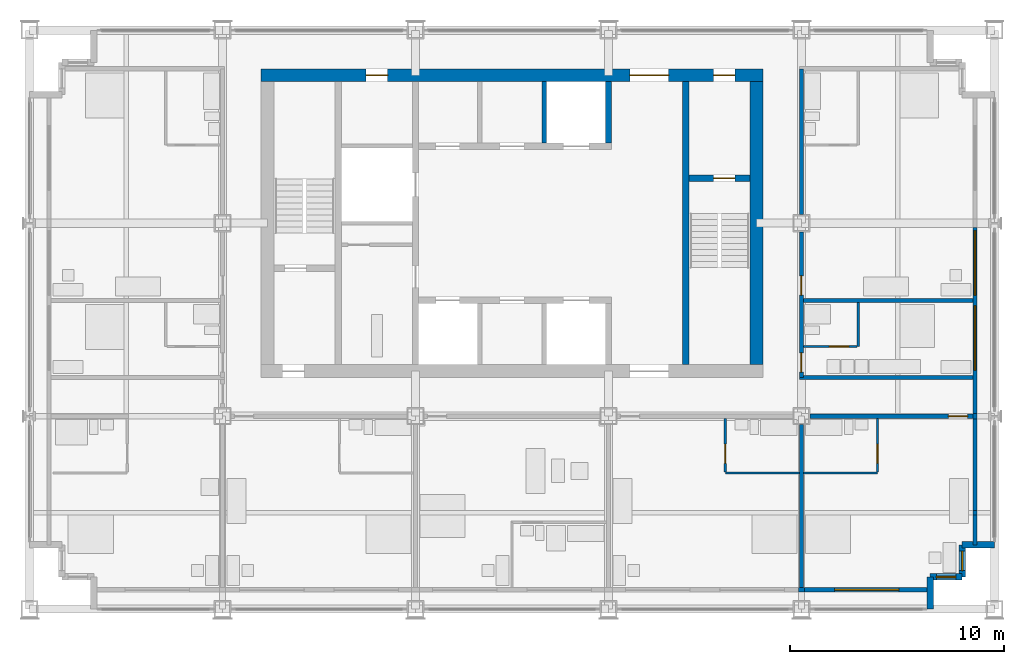
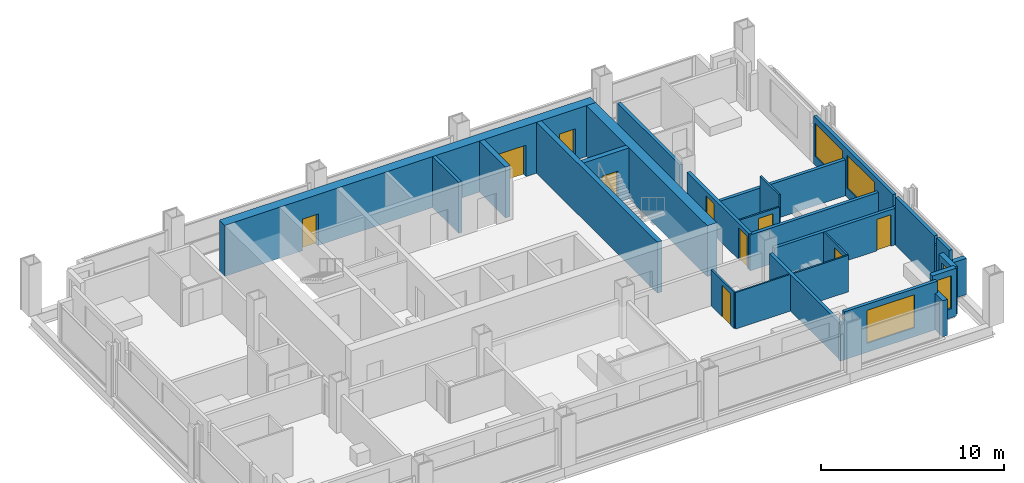
# One storey, part 9 of 13: 29 walls, 10 doors, 5 windows, 15 openings.
"""IFC4 building model written with IfcOpenShell, lengths in metres."""

import ifcopenshell
import ifcopenshell.guid

model = None  # the IFC model being written
_history = None  # IfcOwnerHistory: only IFC2X3 demands one
_inside = {}  # id of a spatial element -> (the spatial element, [elements in it])
_under = {}  # id of a project, library or spatial element -> (it, [spatial elements below it])
_declared = {}  # id of a project -> (the project, [libraries it declares])
_typed = {}  # id of a type object -> (the type object, [elements of that type])
_made_of = {}  # id of a material, layer set ... -> (it, [elements and type objects made of it])


def new_model(schema):
    """Start an empty IFC model of exactly this schema.

    Asked for "IFC4X3", IfcOpenShell would pick the latest addendum, in which some entities
    have other attributes; the version numbers below select the first issue.
    IFC2X3 requires an IfcOwnerHistory on every rooted entity: one is made here for all.
    """
    global model, _history
    if schema == "IFC4X3":
        model = ifcopenshell.file(schema_version=(4, 3, 0, 0))
    else:
        model = ifcopenshell.file(schema=schema)
    _inside.clear()
    _under.clear()
    _declared.clear()
    _typed.clear()
    _made_of.clear()
    _history = None
    if model.schema == "IFC2X3":
        org = make("IfcOrganization", Name="unknown")
        user = make(
            "IfcPersonAndOrganization",
            ThePerson=make("IfcPerson", FamilyName="unknown"),
            TheOrganization=org,
        )
        app = make(
            "IfcApplication",
            ApplicationDeveloper=org,
            Version="unknown",
            ApplicationFullName="unknown",
            ApplicationIdentifier="unknown",
        )
        _history = make(
            "IfcOwnerHistory",
            OwningUser=user,
            OwningApplication=app,
            ChangeAction="ADDED",
            CreationDate=0,
        )
    return model


def make(cls, **values):
    """One entity of the class cls with the attributes given. An attribute that is None is left unset."""
    return model.create_entity(
        cls, **{name: value for name, value in values.items() if value is not None}
    )


def rooted(cls, **values):
    """An entity with a GlobalId (a new one), such as an element, a storey or a relation."""
    return make(cls, GlobalId=ifcopenshell.guid.new(), OwnerHistory=_history, **values)


def si_unit(unit_type, name, prefix=None):
    """IfcSIUnit, for example si_unit("LENGTHUNIT", "METRE", prefix="MILLI")."""
    return make("IfcSIUnit", UnitType=unit_type, Prefix=prefix, Name=name)


def assignment(units):
    """IfcUnitAssignment: the units of a project."""
    return None if units is None else make("IfcUnitAssignment", Units=units)


def point(xyz):
    """IfcCartesianPoint."""
    return None if xyz is None else make("IfcCartesianPoint", Coordinates=xyz)


def direction(xyz):
    """IfcDirection."""
    return None if xyz is None else make("IfcDirection", DirectionRatios=xyz)


def frame(location, z_axis=None, x_axis=None):
    """IfcAxis2Placement3D, a coordinate frame: its origin and axes. An axis left out is left unset."""
    return make(
        "IfcAxis2Placement3D",
        Location=point(location),
        Axis=direction(z_axis),
        RefDirection=direction(x_axis),
    )


def frame_2d(location, x_axis=None):
    """IfcAxis2Placement2D, a coordinate frame in the plane: its origin and x axis."""
    return make(
        "IfcAxis2Placement2D", Location=point(location), RefDirection=direction(x_axis)
    )


def origin():
    """The frame at (0, 0, 0) with its axes left unset."""
    return frame((0.0, 0.0, 0.0))


def place(relative_to, where):
    """IfcLocalPlacement: puts the frame where relative to a parent placement (None: the world)."""
    return make(
        "IfcLocalPlacement", PlacementRelTo=relative_to, RelativePlacement=where
    )


def context(
    kind, dimensions, precision=None, world=None, true_north=None, identifier=None
):
    """IfcGeometricRepresentationContext, for example the 3D "Model" context."""
    return make(
        "IfcGeometricRepresentationContext",
        ContextIdentifier=identifier,
        ContextType=kind,
        CoordinateSpaceDimension=dimensions,
        Precision=precision,
        WorldCoordinateSystem=world,
        TrueNorth=true_north,
    )


def subcontext(parent, identifier, kind, view, scale=None):
    """IfcGeometricRepresentationSubContext, for example "Body" below "Model"."""
    return make(
        "IfcGeometricRepresentationSubContext",
        ContextIdentifier=identifier,
        ContextType=kind,
        ParentContext=parent,
        TargetScale=scale,
        TargetView=view,
    )


def project(units=None, contexts=None):
    """IfcProject with its units and contexts."""
    return rooted(
        "IfcProject",
        Name="project",
        RepresentationContexts=contexts,
        UnitsInContext=assignment(units),
    )


def spatial(cls, under=None, at=None, **own):
    """A site, building, storey or space (cls), placed at a placement, below another one or the project."""
    s = rooted(cls, ObjectPlacement=at, **own)
    if under is not None:
        _under.setdefault(under.id(), (under, []))[1].append(s)
    return s


def profile(cls, at=None, kind="AREA", **sizes):
    """A parametric profile (cls). Its sizes go by their IFC names, for example OverallWidth=200.0."""
    return make(cls, ProfileType=kind, Position=at, **sizes)


def rectangle(**sizes):
    """IfcRectangleProfileDef."""
    return profile("IfcRectangleProfileDef", **sizes)


def extrude(swept, where, along, depth):
    """IfcExtrudedAreaSolid: the profile swept, set in the frame where, extruded along a direction by depth."""
    return make(
        "IfcExtrudedAreaSolid",
        SweptArea=swept,
        Position=where,
        ExtrudedDirection=direction(along),
        Depth=depth,
    )


def shape(context_of_items, identifier, shape_type, items):
    """IfcShapeRepresentation: the items that make up one representation, for example the "Body"."""
    return make(
        "IfcShapeRepresentation",
        ContextOfItems=context_of_items,
        RepresentationIdentifier=identifier,
        RepresentationType=shape_type,
        Items=items,
    )


def material(Name=None, Category=None):
    """IfcMaterial."""
    return make("IfcMaterial", Name=Name, Category=Category)


def layer(
    of_material, thickness, ventilated=None, Name=None, Category=None, Priority=None
):
    """IfcMaterialLayer: one layer of a wall or slab, of a material (None: an air gap)."""
    return make(
        "IfcMaterialLayer",
        Material=of_material,
        LayerThickness=thickness,
        IsVentilated=ventilated,
        Name=Name,
        Category=Category,
        Priority=Priority,
    )


def layer_set(layers, Name=None):
    """IfcMaterialLayerSet."""
    return make("IfcMaterialLayerSet", MaterialLayers=layers, LayerSetName=Name)


def made_of(thing, what):
    """Note that an element or type object is made of a material, layer set ...; save() writes the relation."""
    if what is not None:
        _made_of.setdefault(what.id(), (what, []))[1].append(thing)
    return thing


def type_object(cls, material=None, **own):
    """A type object (cls), such as IfcWallType, which elements share."""
    return made_of(rooted(cls, **own), material)


def element(
    cls,
    number,
    at=None,
    inside=None,
    cuts=None,
    type_object=None,
    material=None,
    context=None,
    identifier="Body",
    shape_type=None,
    held_by="IfcProductDefinitionShape",
    body=None,
    shapes=None,
    **own,
):
    """One element of the class cls, such as IfcWall. Its Tag is "e" and its number.

    at: its placement. inside: the storey or other place that contains it. cuts: it is an
    opening in that element (IfcRelVoidsElement). A single representation is given by context,
    identifier, shape_type and body (its items); several are given by shapes. held_by: the class
    of the entity that holds the representations. save() writes the other relations.
    """
    e = rooted(cls, Tag="e%d" % number, ObjectPlacement=at, **own)
    if body is not None:
        shapes = [shape(context, identifier, shape_type, body)]
    if shapes is not None:
        e.Representation = make(held_by, Representations=shapes)
    if inside is not None:
        _inside.setdefault(inside.id(), (inside, []))[1].append(e)
    if cuts is not None:
        rooted(
            "IfcRelVoidsElement", RelatingBuildingElement=cuts, RelatedOpeningElement=e
        )
    if type_object is not None:
        _typed.setdefault(type_object.id(), (type_object, []))[1].append(e)
    return made_of(e, material)


def fill(opening, filler):
    """IfcRelFillsElement: the door or window that sits in an opening."""
    return rooted(
        "IfcRelFillsElement",
        RelatingOpeningElement=opening,
        RelatedBuildingElement=filler,
    )


def aggregate(whole, parts):
    """IfcRelAggregates: a whole, such as a stair, and the parts it consists of."""
    return rooted("IfcRelAggregates", RelatingObject=whole, RelatedObjects=parts)


def save(model, path):
    """Write the relations noted so far, then the file.

    IfcRelAggregates (storeys below a building ...), IfcRelContainedInSpatialStructure (elements
    in a storey), IfcRelDefinesByType, IfcRelAssociatesMaterial and IfcRelDeclares: one each for
    every whole, place, type object, material and project.
    """
    for whole, parts in _under.values():
        aggregate(whole, parts)
    for where, things in _inside.values():
        rooted(
            "IfcRelContainedInSpatialStructure",
            RelatedElements=things,
            RelatingStructure=where,
        )
    for kind, things in _typed.values():
        rooted("IfcRelDefinesByType", RelatedObjects=things, RelatingType=kind)
    for what, things in _made_of.values():
        rooted("IfcRelAssociatesMaterial", RelatedObjects=things, RelatingMaterial=what)
    for by, libraries in _declared.values():
        rooted("IfcRelDeclares", RelatingContext=by, RelatedDefinitions=libraries)
    model.write(path)


model = new_model("IFC4")

# Units and contexts
model_context = context("Model", 3, precision=1e-05, world=origin(), true_north=direction((0.0, 1.0)))
body_context = subcontext(model_context, "Body", "Model", "MODEL_VIEW")
ifc_project = project(units=[si_unit("LENGTHUNIT", "METRE"), si_unit("AREAUNIT", "SQUARE_METRE"), si_unit("VOLUMEUNIT", "CUBIC_METRE"), si_unit("PLANEANGLEUNIT", "RADIAN"), si_unit("MASSUNIT", "GRAM", prefix="KILO")], contexts=[model_context])

# Site, building, storey
site_placement = place(None, origin())
site = spatial("IfcSite", under=ifc_project, at=site_placement, CompositionType="ELEMENT")
building_placement = place(site_placement, origin())
building = spatial("IfcBuilding", under=site, at=building_placement, Name="Loomwork Tower", CompositionType="ELEMENT")
storey_placement = place(building_placement, frame((0.0, 0.0, 177.39990234375)))
storey = spatial("IfcBuildingStorey", under=building, at=storey_placement, Name="L48", CompositionType="ELEMENT", Elevation=177.39990234375)

# Walls
ifc_material_1 = material(Name="Concrete 14000 psi (97 MPa)", Category="concrete")
ifc_layer_1 = layer(ifc_material_1, 0.300048828125)
ifc_layer_set_1 = layer_set([ifc_layer_1], Name="Core shear wall 300")
wall_type_1 = type_object("IfcWallType", Name="Core shear wall 300", PredefinedType="SHEAR", material=ifc_layer_set_1)
wall_1_placement = place(storey_placement, frame((27.0, 21.75, 0.0), z_axis=(0.0, 0.0, 1.0), x_axis=(0.0, 1.0, 0.0)))
element("IfcWall", 1, at=wall_1_placement, inside=storey, type_object=wall_type_1, Name="Lift shaft end wall north L48", PredefinedType="SHEAR", context=body_context, shape_type="SweptSolid", body=[
    extrude(rectangle(XDim=2.85009765625, YDim=0.300048828125, at=frame_2d((1.425048828125, 0.0))), origin(), (0.0, 0.0, 1.0), 3.400146484375),
])
wall_2_placement = place(storey_placement, frame((30.60009765625, 11.39990234375, 0.0), z_axis=(0.0, 0.0, 1.0), x_axis=(0.0, 1.0, 0.0)))
element("IfcWall", 2, at=wall_2_placement, inside=storey, type_object=wall_type_1, Name="Stair B west wall L48", PredefinedType="SHEAR", context=body_context, shape_type="SweptSolid", body=[
    extrude(rectangle(XDim=13.2001953125, YDim=0.300048828125, at=frame_2d((6.60009765625, 0.0))), origin(), (0.0, 0.0, 1.0), 3.400146484375),
])

# Wall, opening, door
wall_3_placement = place(storey_placement, frame((30.75, 20.10009765625, 0.0), z_axis=(0.0, 0.0, 1.0), x_axis=(1.0, 0.0, 0.0)))
wall_3 = element("IfcWall", 3, at=wall_3_placement, inside=storey, type_object=wall_type_1, Name="Stair B north wall L48", PredefinedType="SHEAR", context=body_context, shape_type="SweptSolid", body=[
    extrude(rectangle(XDim=2.85009765625, YDim=0.300048828125, at=frame_2d((1.425048828125, 0.0))), origin(), (0.0, 0.0, 1.0), 3.400146484375),
])
opening_1_placement = place(wall_3_placement, frame((1.14990234375, 0.0, 0.0)))
opening_1 = element("IfcOpeningElement", 4, at=opening_1_placement, cuts=wall_3, Name="Opening D4", PredefinedType="OPENING", context=body_context, shape_type="SweptSolid", body=[
    extrude(rectangle(XDim=1.0, YDim=2.10009765625, at=frame_2d((0.5, 1.050048828125))), frame((0.0, 0.159912109375, 0.0), z_axis=(0.0, -1.0, 0.0), x_axis=(1.0, 0.0, 0.0)), (0.0, 0.0, 1.0), 0.320068359375),
])
ifc_material_2 = material(Name="Hollow metal door and frame")
door_type_1 = type_object("IfcDoorType", Name="Stair door 1000", OperationType="SINGLE_SWING_RIGHT", PredefinedType="DOOR", material=ifc_material_2)
door_1_placement = place(opening_1_placement, frame((1.0, 0.0, 0.0), z_axis=(0.0, 0.0, 1.0), x_axis=(-1.0, 0.0, 0.0)))
door_1 = element("IfcDoor", 5, at=door_1_placement, inside=storey, type_object=door_type_1, Name="Stair B door", OperationType="SINGLE_SWING_LEFT", OverallHeight=2.10009765625, OverallWidth=1.0, PredefinedType="DOOR", context=body_context, shape_type="SweptSolid", body=[
    extrude(rectangle(XDim=1.0, YDim=2.10009765625, at=frame_2d((0.5, 1.050048828125))), frame((0.0, 0.02490234375, 0.0), z_axis=(0.0, -1.0, 0.0), x_axis=(1.0, 0.0, 0.0)), (0.0, 0.0, 1.0), 0.050048828125),
])
fill(opening_1, door_1)

# Wall, openings, doors
ifc_material_3 = material(Name="Concrete 14000 psi (97 MPa)", Category="concrete")
ifc_layer_2 = layer(ifc_material_3, 0.60009765625)
ifc_layer_set_2 = layer_set([ifc_layer_2], Name="Core shear wall 600")
wall_type_2 = type_object("IfcWallType", Name="Core shear wall 600", PredefinedType="SHEAR", material=ifc_layer_set_2)
wall_4_placement = place(storey_placement, frame((10.800048828125, 24.89990234375, 0.0), z_axis=(0.0, 0.0, 1.0), x_axis=(1.0, 0.0, 0.0)))
wall_4 = element("IfcWall", 6, at=wall_4_placement, inside=storey, type_object=wall_type_2, Name="Core wall north L48", PredefinedType="SHEAR", context=body_context, shape_type="SweptSolid", body=[
    extrude(rectangle(XDim=23.39990234375, YDim=0.60009765625, at=frame_2d((11.699951171875, 0.0))), origin(), (0.0, 0.0, 1.0), 3.400146484375),
])
opening_2_placement = place(wall_4_placement, frame((17.199951171875, 0.0, 0.0)))
opening_2 = element("IfcOpeningElement", 7, at=opening_2_placement, cuts=wall_4, Name="Opening D6", PredefinedType="OPENING", context=body_context, shape_type="SweptSolid", body=[
    extrude(rectangle(XDim=1.800048828125, YDim=2.10009765625, at=frame_2d((0.89990234375, 1.050048828125))), frame((0.0, 0.31005859375, 0.0), z_axis=(0.0, -1.0, 0.0), x_axis=(1.0, 0.0, 0.0)), (0.0, 0.0, 1.0), 0.6201171875),
])
opening_3_placement = place(wall_4_placement, frame((21.10009765625, 0.0, 0.0)))
opening_3 = element("IfcOpeningElement", 8, at=opening_3_placement, cuts=wall_4, Name="Opening D4", PredefinedType="OPENING", context=body_context, shape_type="SweptSolid", body=[
    extrude(rectangle(XDim=1.0, YDim=2.10009765625, at=frame_2d((0.5, 1.050048828125))), frame((0.0, 0.31005859375, 0.0), z_axis=(0.0, -1.0, 0.0), x_axis=(1.0, 0.0, 0.0)), (0.0, 0.0, 1.0), 0.6201171875),
])
opening_4_placement = place(wall_4_placement, frame((4.89990234375, 0.0, 0.0)))
opening_4 = element("IfcOpeningElement", 9, at=opening_4_placement, cuts=wall_4, Name="Opening D5", PredefinedType="OPENING", context=body_context, shape_type="SweptSolid", body=[
    extrude(rectangle(XDim=1.0, YDim=2.10009765625, at=frame_2d((0.5, 1.050048828125))), frame((0.0, 0.31005859375, 0.0), z_axis=(0.0, -1.0, 0.0), x_axis=(1.0, 0.0, 0.0)), (0.0, 0.0, 1.0), 0.6201171875),
])
ifc_material_4 = material(Name="Hollow metal door and frame")
door_type_2 = type_object("IfcDoorType", Name="Lobby passage double door 1800", OperationType="DOUBLE_DOOR_SINGLE_SWING", PredefinedType="DOOR", material=ifc_material_4)
door_2_placement = place(opening_2_placement, frame((1.800048828125, 0.0, 0.0), z_axis=(0.0, 0.0, 1.0), x_axis=(-1.0, 0.0, 0.0)))
door_2 = element("IfcDoor", 10, at=door_2_placement, inside=storey, type_object=door_type_2, Name="Lobby passage door north", OperationType="DOUBLE_DOOR_SINGLE_SWING", OverallHeight=2.10009765625, OverallWidth=1.800048828125, PredefinedType="DOOR", context=body_context, shape_type="SweptSolid", body=[
    extrude(rectangle(XDim=1.800048828125, YDim=2.10009765625, at=frame_2d((0.89990234375, 1.050048828125))), frame((0.0, 0.02490234375, 0.0), z_axis=(0.0, -1.0, 0.0), x_axis=(1.0, 0.0, 0.0)), (0.0, 0.0, 1.0), 0.050048828125),
])
fill(opening_2, door_2)
ifc_material_5 = material(Name="Hollow metal door and frame")
door_type_3 = type_object("IfcDoorType", Name="Service door 1000", OperationType="SINGLE_SWING_LEFT", PredefinedType="DOOR", material=ifc_material_5)
door_3_placement = place(opening_4_placement, frame((1.0, 0.0, 0.0), z_axis=(0.0, 0.0, 1.0), x_axis=(-1.0, 0.0, 0.0)))
door_3 = element("IfcDoor", 11, at=door_3_placement, inside=storey, type_object=door_type_3, Name="Back-of-house door north", OperationType="SINGLE_SWING_LEFT", OverallHeight=2.10009765625, OverallWidth=1.0, PredefinedType="DOOR", context=body_context, shape_type="SweptSolid", body=[
    extrude(rectangle(XDim=1.0, YDim=2.10009765625, at=frame_2d((0.5, 1.050048828125))), frame((0.0, 0.02490234375, 0.0), z_axis=(0.0, -1.0, 0.0), x_axis=(1.0, 0.0, 0.0)), (0.0, 0.0, 1.0), 0.050048828125),
])
fill(opening_4, door_3)
door_4_placement = place(opening_3_placement, frame((1.0, 0.0, 0.0), z_axis=(0.0, 0.0, 1.0), x_axis=(-1.0, 0.0, 0.0)))
door_4 = element("IfcDoor", 12, at=door_4_placement, inside=storey, type_object=door_type_1, Name="Stair B vestibule door", OperationType="SINGLE_SWING_LEFT", OverallHeight=2.10009765625, OverallWidth=1.0, PredefinedType="DOOR", context=body_context, shape_type="SweptSolid", body=[
    extrude(rectangle(XDim=1.0, YDim=2.10009765625, at=frame_2d((0.5, 1.050048828125))), frame((0.0, 0.02490234375, 0.0), z_axis=(0.0, -1.0, 0.0), x_axis=(1.0, 0.0, 0.0)), (0.0, 0.0, 1.0), 0.050048828125),
])
fill(opening_3, door_4)

# Wall
wall_5_placement = place(storey_placement, frame((33.89990234375, 11.39990234375, 0.0), z_axis=(0.0, 0.0, 1.0), x_axis=(0.0, 1.0, 0.0)))
element("IfcWall", 13, at=wall_5_placement, inside=storey, type_object=wall_type_2, Name="Core wall east L48", PredefinedType="SHEAR", context=body_context, shape_type="SweptSolid", body=[
    extrude(rectangle(XDim=13.2001953125, YDim=0.60009765625, at=frame_2d((6.60009765625, 0.0))), origin(), (0.0, 0.0, 1.0), 3.400146484375),
])

# Wall, opening, door
ifc_material_6 = material(Name="Gypsum board on steel studs, one-hour", Category="steel")
ifc_layer_3 = layer(ifc_material_6, 0.199951171875)
ifc_layer_set_3 = layer_set([ifc_layer_3], Name="Corridor wall 200")
wall_type_3 = type_object("IfcWallType", Name="Corridor wall 200", PredefinedType="PARTITIONING", material=ifc_layer_set_3)
wall_6_placement = place(storey_placement, frame((36.39990234375, 9.0, 0.0), z_axis=(0.0, 0.0, 1.0), x_axis=(1.0, 0.0, 0.0)))
wall_6 = element("IfcWall", 14, at=wall_6_placement, inside=storey, type_object=wall_type_3, Name="South corridor wall 5", PredefinedType="PARTITIONING", context=body_context, shape_type="SweptSolid", body=[
    extrude(rectangle(XDim=7.60009765625, YDim=0.199951171875, at=frame_2d((3.800048828125, 0.0))), origin(), (0.0, 0.0, 1.0), 2.43798828125),
])
opening_5_placement = place(wall_6_placement, frame((6.449951171875, 0.0, 0.0)))
opening_5 = element("IfcOpeningElement", 15, at=opening_5_placement, cuts=wall_6, Name="Opening D1", PredefinedType="OPENING", context=body_context, shape_type="SweptSolid", body=[
    extrude(rectangle(XDim=0.89990234375, YDim=2.10009765625, at=frame_2d((0.449951171875, 1.050048828125))), frame((0.0, 0.10986328125, 0.0), z_axis=(0.0, -1.0, 0.0), x_axis=(1.0, 0.0, 0.0)), (0.0, 0.0, 1.0), 0.219970703125),
])
ifc_material_7 = material(Name="Hollow metal door and frame")
door_type_4 = type_object("IfcDoorType", Name="Guest room entry door 900", OperationType="SINGLE_SWING_LEFT", PredefinedType="DOOR", material=ifc_material_7)
door_5_placement = place(opening_5_placement, frame((0.89990234375, 0.0, 0.0), z_axis=(0.0, 0.0, 1.0), x_axis=(-1.0, 0.0, 0.0)))
door_5 = element("IfcDoor", 16, at=door_5_placement, inside=storey, type_object=door_type_4, Name="Guest room entry door L48 5", OperationType="SINGLE_SWING_LEFT", OverallHeight=2.10009765625, OverallWidth=0.89990234375, PredefinedType="DOOR", context=body_context, shape_type="SweptSolid", body=[
    extrude(rectangle(XDim=0.89990234375, YDim=2.10009765625, at=frame_2d((0.449951171875, 1.050048828125))), frame((0.0, 0.02490234375, 0.0), z_axis=(0.0, -1.0, 0.0), x_axis=(1.0, 0.0, 0.0)), (0.0, 0.0, 1.0), 0.050048828125),
])
fill(opening_5, door_5)

# Wall, openings, doors
wall_7_placement = place(storey_placement, frame((36.0, 10.800048828125, 0.0), z_axis=(0.0, 0.0, 1.0), x_axis=(0.0, 1.0, 0.0)))
wall_7 = element("IfcWall", 17, at=wall_7_placement, inside=storey, type_object=wall_type_3, Name="East corridor wall 1", PredefinedType="PARTITIONING", context=body_context, shape_type="SweptSolid", body=[
    extrude(rectangle(XDim=6.800048828125, YDim=0.199951171875, at=frame_2d((3.39990234375, 0.0))), origin(), (0.0, 0.0, 1.0), 2.405029296875),
])
opening_6_placement = place(wall_7_placement, frame((0.25, 0.0, 0.0)))
opening_6 = element("IfcOpeningElement", 18, at=opening_6_placement, cuts=wall_7, Name="Opening D1", PredefinedType="OPENING", context=body_context, shape_type="SweptSolid", body=[
    extrude(rectangle(XDim=0.89990234375, YDim=2.10009765625, at=frame_2d((0.449951171875, 1.050048828125))), frame((0.0, 0.10986328125, 0.0), z_axis=(0.0, -1.0, 0.0), x_axis=(1.0, 0.0, 0.0)), (0.0, 0.0, 1.0), 0.219970703125),
])
opening_7_placement = place(wall_7_placement, frame((3.85009765625, 0.0, 0.0)))
opening_7 = element("IfcOpeningElement", 19, at=opening_7_placement, cuts=wall_7, Name="Opening D1", PredefinedType="OPENING", context=body_context, shape_type="SweptSolid", body=[
    extrude(rectangle(XDim=0.89990234375, YDim=2.10009765625, at=frame_2d((0.449951171875, 1.050048828125))), frame((0.0, 0.10986328125, 0.0), z_axis=(0.0, -1.0, 0.0), x_axis=(1.0, 0.0, 0.0)), (0.0, 0.0, 1.0), 0.219970703125),
])
door_6_placement = place(opening_6_placement, frame((0.89990234375, 0.0, 0.0), z_axis=(0.0, 0.0, 1.0), x_axis=(-1.0, 0.0, 0.0)))
door_6 = element("IfcDoor", 20, at=door_6_placement, inside=storey, type_object=door_type_4, Name="Guest room entry door L48 8", OperationType="SINGLE_SWING_RIGHT", OverallHeight=2.10009765625, OverallWidth=0.89990234375, PredefinedType="DOOR", context=body_context, shape_type="SweptSolid", body=[
    extrude(rectangle(XDim=0.89990234375, YDim=2.10009765625, at=frame_2d((0.449951171875, 1.050048828125))), frame((0.0, 0.02490234375, 0.0), z_axis=(0.0, -1.0, 0.0), x_axis=(1.0, 0.0, 0.0)), (0.0, 0.0, 1.0), 0.050048828125),
])
fill(opening_6, door_6)
door_7_placement = place(opening_7_placement, frame((0.89990234375, 0.0, 0.0), z_axis=(0.0, 0.0, 1.0), x_axis=(-1.0, 0.0, 0.0)))
door_7 = element("IfcDoor", 21, at=door_7_placement, inside=storey, type_object=door_type_4, Name="Guest room entry door L48 9", OperationType="SINGLE_SWING_RIGHT", OverallHeight=2.10009765625, OverallWidth=0.89990234375, PredefinedType="DOOR", context=body_context, shape_type="SweptSolid", body=[
    extrude(rectangle(XDim=0.89990234375, YDim=2.10009765625, at=frame_2d((0.449951171875, 1.050048828125))), frame((0.0, 0.02490234375, 0.0), z_axis=(0.0, -1.0, 0.0), x_axis=(1.0, 0.0, 0.0)), (0.0, 0.0, 1.0), 0.050048828125),
])
fill(opening_7, door_7)

# Walls
wall_8_placement = place(storey_placement, frame((36.0, 18.39990234375, 0.0), z_axis=(0.0, 0.0, 1.0), x_axis=(0.0, 1.0, 0.0)))
element("IfcWall", 22, at=wall_8_placement, inside=storey, type_object=wall_type_3, Name="East corridor wall 2", PredefinedType="PARTITIONING", context=body_context, shape_type="SweptSolid", body=[
    extrude(rectangle(XDim=6.800048828125, YDim=0.199951171875, at=frame_2d((3.39990234375, 0.0))), origin(), (0.0, 0.0, 1.0), 2.405029296875),
])
wall_9_placement = place(storey_placement, frame((35.89990234375, 10.800048828125, 0.0), z_axis=(0.0, 0.0, 1.0), x_axis=(1.0, 0.0, 0.0)))
element("IfcWall", 23, at=wall_9_placement, inside=storey, type_object=wall_type_3, Name="East band end wall S", PredefinedType="PARTITIONING", context=body_context, shape_type="SweptSolid", body=[
    extrude(rectangle(XDim=8.10009765625, YDim=0.199951171875, at=frame_2d((4.050048828125, 0.0))), origin(), (0.0, 0.0, 1.0), 2.404052734375),
])
ifc_material_8 = material(Name="Cement board on steel studs", Category="steel")
ifc_layer_4 = layer(ifc_material_8, 0.10009765625)
ifc_layer_set_4 = layer_set([ifc_layer_4], Name="En-suite partition 100")
wall_type_4 = type_object("IfcWallType", Name="En-suite partition 100", PredefinedType="PARTITIONING", material=ifc_layer_set_4)
wall_10_placement = place(storey_placement, frame((32.449951171875, 6.35009765625, 0.0), z_axis=(0.0, 0.0, 1.0), x_axis=(1.0, 0.0, 0.0)))
element("IfcWall", 24, at=wall_10_placement, inside=storey, type_object=wall_type_4, Name="En-suite wall L48 room 4", PredefinedType="PARTITIONING", context=body_context, shape_type="SweptSolid", body=[
    extrude(rectangle(XDim=3.449951171875, YDim=0.10009765625, at=frame_2d((1.72509765625, 0.0))), origin(), (0.0, 0.0, 1.0), 2.43798828125),
])

# Wall, opening, door
wall_11_placement = place(storey_placement, frame((32.449951171875, 8.89990234375, 0.0), z_axis=(0.0, 0.0, 1.0), x_axis=(0.0, -1.0, 0.0)))
wall_11 = element("IfcWall", 25, at=wall_11_placement, inside=storey, type_object=wall_type_4, Name="En-suite side wall L48 room 4", PredefinedType="PARTITIONING", context=body_context, shape_type="SweptSolid", body=[
    extrude(rectangle(XDim=2.5, YDim=0.10009765625, at=frame_2d((1.25, 0.0))), origin(), (0.0, 0.0, 1.0), 2.404052734375),
])
opening_8_placement = place(wall_11_placement, frame((1.199951171875, 0.0, 0.0)))
opening_8 = element("IfcOpeningElement", 26, at=opening_8_placement, cuts=wall_11, Name="Opening D2", PredefinedType="OPENING", context=body_context, shape_type="SweptSolid", body=[
    extrude(rectangle(XDim=0.89990234375, YDim=2.10009765625, at=frame_2d((0.449951171875, 1.050048828125))), frame((0.0, 0.06005859375, 0.0), z_axis=(0.0, -1.0, 0.0), x_axis=(1.0, 0.0, 0.0)), (0.0, 0.0, 1.0), 0.1201171875),
])
ifc_material_9 = material(Name="Hollow metal door and frame")
door_type_5 = type_object("IfcDoorType", Name="En-suite door 900", OperationType="SINGLE_SWING_LEFT", PredefinedType="DOOR", material=ifc_material_9)
door_8_placement = place(opening_8_placement, origin())
door_8 = element("IfcDoor", 27, at=door_8_placement, inside=storey, type_object=door_type_5, Name="En-suite door room 4", OperationType="SINGLE_SWING_RIGHT", OverallHeight=2.10009765625, OverallWidth=0.89990234375, PredefinedType="DOOR", context=body_context, shape_type="SweptSolid", body=[
    extrude(rectangle(XDim=0.89990234375, YDim=2.10009765625, at=frame_2d((0.449951171875, 1.050048828125))), frame((0.0, 0.02490234375, 0.0), z_axis=(0.0, -1.0, 0.0), x_axis=(1.0, 0.0, 0.0)), (0.0, 0.0, 1.0), 0.050048828125),
])
fill(opening_8, door_8)

# Wall
wall_12_placement = place(storey_placement, frame((36.10009765625, 6.35009765625, 0.0), z_axis=(0.0, 0.0, 1.0), x_axis=(1.0, 0.0, 0.0)))
element("IfcWall", 28, at=wall_12_placement, inside=storey, type_object=wall_type_4, Name="En-suite wall L48 room 5", PredefinedType="PARTITIONING", context=body_context, shape_type="SweptSolid", body=[
    extrude(rectangle(XDim=3.449951171875, YDim=0.10009765625, at=frame_2d((1.72509765625, 0.0))), origin(), (0.0, 0.0, 1.0), 2.43798828125),
])

# Wall, opening, door
wall_13_placement = place(storey_placement, frame((39.550048828125, 8.89990234375, 0.0), z_axis=(0.0, 0.0, 1.0), x_axis=(0.0, -1.0, 0.0)))
wall_13 = element("IfcWall", 29, at=wall_13_placement, inside=storey, type_object=wall_type_4, Name="En-suite side wall L48 room 5", PredefinedType="PARTITIONING", context=body_context, shape_type="SweptSolid", body=[
    extrude(rectangle(XDim=2.5, YDim=0.10009765625, at=frame_2d((1.25, 0.0))), origin(), (0.0, 0.0, 1.0), 2.43798828125),
])
opening_9_placement = place(wall_13_placement, frame((1.199951171875, 0.0, 0.0)))
opening_9 = element("IfcOpeningElement", 30, at=opening_9_placement, cuts=wall_13, Name="Opening D2", PredefinedType="OPENING", context=body_context, shape_type="SweptSolid", body=[
    extrude(rectangle(XDim=0.89990234375, YDim=2.10009765625, at=frame_2d((0.449951171875, 1.050048828125))), frame((0.0, 0.06005859375, 0.0), z_axis=(0.0, -1.0, 0.0), x_axis=(1.0, 0.0, 0.0)), (0.0, 0.0, 1.0), 0.1201171875),
])
door_9_placement = place(opening_9_placement, frame((0.89990234375, 0.0, 0.0), z_axis=(0.0, 0.0, 1.0), x_axis=(-1.0, 0.0, 0.0)))
door_9 = element("IfcDoor", 31, at=door_9_placement, inside=storey, type_object=door_type_5, Name="En-suite door room 5", OperationType="SINGLE_SWING_LEFT", OverallHeight=2.10009765625, OverallWidth=0.89990234375, PredefinedType="DOOR", context=body_context, shape_type="SweptSolid", body=[
    extrude(rectangle(XDim=0.89990234375, YDim=2.10009765625, at=frame_2d((0.449951171875, 1.050048828125))), frame((0.0, 0.02490234375, 0.0), z_axis=(0.0, -1.0, 0.0), x_axis=(1.0, 0.0, 0.0)), (0.0, 0.0, 1.0), 0.050048828125),
])
fill(opening_9, door_9)

# Wall
wall_14_placement = place(storey_placement, frame((38.64990234375, 12.25, 0.0), z_axis=(0.0, 0.0, 1.0), x_axis=(0.0, 1.0, 0.0)))
element("IfcWall", 32, at=wall_14_placement, inside=storey, type_object=wall_type_4, Name="En-suite wall L48 room 8", PredefinedType="PARTITIONING", context=body_context, shape_type="SweptSolid", body=[
    extrude(rectangle(XDim=2.050048828125, YDim=0.10009765625, at=frame_2d((1.02490234375, 0.0))), origin(), (0.0, 0.0, 1.0), 3.2001953125),
])

# Wall, opening, door
wall_15_placement = place(storey_placement, frame((36.10009765625, 12.25, 0.0), z_axis=(0.0, 0.0, 1.0), x_axis=(1.0, 0.0, 0.0)))
wall_15 = element("IfcWall", 33, at=wall_15_placement, inside=storey, type_object=wall_type_4, Name="En-suite side wall L48 room 8", PredefinedType="PARTITIONING", context=body_context, shape_type="SweptSolid", body=[
    extrude(rectangle(XDim=2.5, YDim=0.10009765625, at=frame_2d((1.25, 0.0))), origin(), (0.0, 0.0, 1.0), 2.404052734375),
])
opening_10_placement = place(wall_15_placement, frame((1.199951171875, 0.0, 0.0)))
opening_10 = element("IfcOpeningElement", 34, at=opening_10_placement, cuts=wall_15, Name="Opening D2", PredefinedType="OPENING", context=body_context, shape_type="SweptSolid", body=[
    extrude(rectangle(XDim=0.89990234375, YDim=2.10009765625, at=frame_2d((0.449951171875, 1.050048828125))), frame((0.0, 0.06005859375, 0.0), z_axis=(0.0, -1.0, 0.0), x_axis=(1.0, 0.0, 0.0)), (0.0, 0.0, 1.0), 0.1201171875),
])
door_10_placement = place(opening_10_placement, origin())
door_10 = element("IfcDoor", 35, at=door_10_placement, inside=storey, type_object=door_type_5, Name="En-suite door room 8", OperationType="SINGLE_SWING_RIGHT", OverallHeight=2.10009765625, OverallWidth=0.89990234375, PredefinedType="DOOR", context=body_context, shape_type="SweptSolid", body=[
    extrude(rectangle(XDim=0.89990234375, YDim=2.10009765625, at=frame_2d((0.449951171875, 1.050048828125))), frame((0.0, 0.02490234375, 0.0), z_axis=(0.0, -1.0, 0.0), x_axis=(1.0, 0.0, 0.0)), (0.0, 0.0, 1.0), 0.050048828125),
])
fill(opening_10, door_10)

# Walls
ifc_material_10 = material(Name="Gypsum board on steel studs, acoustic", Category="steel")
ifc_layer_5 = layer(ifc_material_10, 0.199951171875)
ifc_layer_set_5 = layer_set([ifc_layer_5], Name="Guest room party wall 200")
wall_type_5 = type_object("IfcWallType", Name="Guest room party wall 200", PredefinedType="PARTITIONING", material=ifc_layer_set_5)
wall_16_placement = place(storey_placement, frame((36.0, 8.60009765625, 0.0), z_axis=(0.0, 0.0, 1.0), x_axis=(0.0, -1.0, 0.0)))
element("IfcWall", 36, at=wall_16_placement, inside=storey, type_object=wall_type_5, Name="Guest room party wall S 36", PredefinedType="PARTITIONING", context=body_context, shape_type="SweptSolid", body=[
    extrude(rectangle(XDim=7.60009765625, YDim=0.199951171875, at=frame_2d((3.800048828125, 0.0))), origin(), (0.0, 0.0, 1.0), 2.43798828125),
])
wall_17_placement = place(storey_placement, frame((36.10009765625, 14.39990234375, 0.0), z_axis=(0.0, 0.0, 1.0), x_axis=(1.0, 0.0, 0.0)))
element("IfcWall", 37, at=wall_17_placement, inside=storey, type_object=wall_type_5, Name="Guest room party wall E 14.4", PredefinedType="PARTITIONING", context=body_context, shape_type="SweptSolid", body=[
    extrude(rectangle(XDim=7.89990234375, YDim=0.199951171875, at=frame_2d((3.949951171875, 0.0))), origin(), (0.0, 0.0, 1.0), 2.404052734375),
])
ifc_material_11 = material(Name="Insulated steel stud wall with gypsum lining", Category="steel")
ifc_layer_6 = layer(ifc_material_11, 0.199951171875)
ifc_layer_set_6 = layer_set([ifc_layer_6], Name="Inner skin wall 200")
wall_type_6 = type_object("IfcWallType", Name="Inner skin wall 200", PredefinedType="SOLIDWALL", material=ifc_layer_set_6)
wall_18_placement = place(storey_placement, frame((44.10009765625, 3.0, 0.0), z_axis=(0.0, 0.0, 1.0), x_axis=(0.0, 1.0, 0.0)))
element("IfcWall", 38, at=wall_18_placement, inside=storey, type_object=wall_type_6, Name="Inner skin wall E", PredefinedType="SOLIDWALL", context=body_context, shape_type="SweptSolid", body=[
    extrude(rectangle(XDim=1.392578125, YDim=0.199951171875, at=frame_2d((0.6962890625, 0.0))), origin(), (0.0, 0.0, 1.0), 3.2001953125),
])
wall_19_placement = place(storey_placement, frame((35.864501953125, 0.89990234375, 0.0), z_axis=(0.0, 0.0, 1.0), x_axis=(1.0, 0.0, 0.0)))
element("IfcWall", 39, at=wall_19_placement, inside=storey, type_object=wall_type_6, Name="Inner skin wall S bay 8", PredefinedType="SOLIDWALL", context=body_context, shape_type="SweptSolid", body=[
    extrude(rectangle(XDim=0.27099609375, YDim=0.199951171875, at=frame_2d((0.135498046875, 0.0))), origin(), (0.0, 0.0, 1.0), 2.43798828125),
])

# Wall, opening, window
wall_20_placement = place(storey_placement, frame((36.135498046875, 0.89990234375, 0.0), z_axis=(0.0, 0.0, 1.0), x_axis=(1.0, 0.0, 0.0)))
wall_20 = element("IfcWall", 40, at=wall_20_placement, inside=storey, type_object=wall_type_6, Name="Inner skin wall S bay 9", PredefinedType="SOLIDWALL", context=body_context, shape_type="SweptSolid", body=[
    extrude(rectangle(XDim=5.864501953125, YDim=0.199951171875, at=frame_2d((2.93212890625, 0.0))), origin(), (0.0, 0.0, 1.0), 3.2001953125),
])
opening_11_placement = place(wall_20_placement, frame((1.41455078125, 0.0, 0.60009765625)))
opening_11 = element("IfcOpeningElement", 41, at=opening_11_placement, cuts=wall_20, Name="Opening CH1", PredefinedType="OPENING", context=body_context, shape_type="SweptSolid", body=[
    extrude(rectangle(XDim=3.0, YDim=2.199951171875, at=frame_2d((1.5, 1.10009765625))), frame((0.0, 0.10986328125, 0.0), z_axis=(0.0, -1.0, 0.0), x_axis=(1.0, 0.0, 0.0)), (0.0, 0.0, 1.0), 0.219970703125),
])
ifc_material_12 = material(Name="Aluminium frame with clear insulated glass", Category="aluminium")
window_type_1 = type_object("IfcWindowType", Name="Chicago window 3000", PartitioningType="TRIPLE_PANEL_VERTICAL", PredefinedType="WINDOW", material=ifc_material_12)
window_1_placement = place(opening_11_placement, origin())
window_1 = element("IfcWindow", 42, at=window_1_placement, inside=storey, type_object=window_type_1, Name="Chicago window L48 bay 5", OverallHeight=2.199951171875, OverallWidth=3.0, PartitioningType="TRIPLE_PANEL_VERTICAL", PredefinedType="WINDOW", context=body_context, shape_type="SweptSolid", body=[
    extrude(rectangle(XDim=3.0, YDim=2.199951171875, at=frame_2d((1.5, 1.10009765625))), frame((0.0, 0.030029296875, 0.0), z_axis=(0.0, -1.0, 0.0), x_axis=(1.0, 0.0, 0.0)), (0.0, 0.0, 1.0), 0.06005859375),
])
fill(opening_11, window_1)

# Walls
wall_21_placement = place(storey_placement, frame((44.10009765625, 4.392578125, 0.0), z_axis=(0.0, 0.0, 1.0), x_axis=(0.0, 1.0, 0.0)))
element("IfcWall", 43, at=wall_21_placement, inside=storey, type_object=wall_type_6, Name="Inner skin wall E bay 2", PredefinedType="SOLIDWALL", context=body_context, shape_type="SweptSolid", body=[
    extrude(rectangle(XDim=0.21484375, YDim=0.199951171875, at=frame_2d((0.107421875, 0.0))), origin(), (0.0, 0.0, 1.0), 2.6611328125),
])
wall_22_placement = place(storey_placement, frame((44.10009765625, 4.607421875, 0.0), z_axis=(0.0, 0.0, 1.0), x_axis=(0.0, 1.0, 0.0)))
element("IfcWall", 44, at=wall_22_placement, inside=storey, type_object=wall_type_6, Name="Inner skin wall E bay 3", PredefinedType="SOLIDWALL", context=body_context, shape_type="SweptSolid", body=[
    extrude(rectangle(XDim=4.25732421875, YDim=0.199951171875, at=frame_2d((2.128662109375, 0.0))), origin(), (0.0, 0.0, 1.0), 3.2001953125),
])
wall_23_placement = place(storey_placement, frame((44.10009765625, 8.86474609375, 0.0), z_axis=(0.0, 0.0, 1.0), x_axis=(0.0, 1.0, 0.0)))
element("IfcWall", 45, at=wall_23_placement, inside=storey, type_object=wall_type_6, Name="Inner skin wall E bay 4", PredefinedType="SOLIDWALL", context=body_context, shape_type="SweptSolid", body=[
    extrude(rectangle(XDim=0.2705078125, YDim=0.199951171875, at=frame_2d((0.13525390625, 0.0))), origin(), (0.0, 0.0, 1.0), 2.43798828125),
])

# Wall, openings, windows
wall_24_placement = place(storey_placement, frame((44.10009765625, 9.13525390625, 0.0), z_axis=(0.0, 0.0, 1.0), x_axis=(0.0, 1.0, 0.0)))
wall_24 = element("IfcWall", 46, at=wall_24_placement, inside=storey, type_object=wall_type_6, Name="Inner skin wall E bay 5", PredefinedType="SOLIDWALL", context=body_context, shape_type="SweptSolid", body=[
    extrude(rectangle(XDim=8.6708984375, YDim=0.199951171875, at=frame_2d((4.33544921875, 0.0))), origin(), (0.0, 0.0, 1.0), 3.2001953125),
])
opening_12_placement = place(wall_24_placement, frame((2.0146484375, 0.0, 0.60009765625)))
opening_12 = element("IfcOpeningElement", 47, at=opening_12_placement, cuts=wall_24, Name="Opening CH1", PredefinedType="OPENING", context=body_context, shape_type="SweptSolid", body=[
    extrude(rectangle(XDim=3.0, YDim=2.199951171875, at=frame_2d((1.5, 1.10009765625))), frame((0.0, 0.10986328125, 0.0), z_axis=(0.0, -1.0, 0.0), x_axis=(1.0, 0.0, 0.0)), (0.0, 0.0, 1.0), 0.219970703125),
])
opening_13_placement = place(wall_24_placement, frame((5.5146484375, 0.0, 0.60009765625)))
opening_13 = element("IfcOpeningElement", 48, at=opening_13_placement, cuts=wall_24, Name="Opening CH1", PredefinedType="OPENING", context=body_context, shape_type="SweptSolid", body=[
    extrude(rectangle(XDim=3.0, YDim=2.199951171875, at=frame_2d((1.5, 1.10009765625))), frame((0.0, 0.10986328125, 0.0), z_axis=(0.0, -1.0, 0.0), x_axis=(1.0, 0.0, 0.0)), (0.0, 0.0, 1.0), 0.219970703125),
])
window_2_placement = place(opening_12_placement, origin())
window_2 = element("IfcWindow", 49, at=window_2_placement, inside=storey, type_object=window_type_1, Name="Chicago window L48 bay 8", OverallHeight=2.199951171875, OverallWidth=3.0, PartitioningType="TRIPLE_PANEL_VERTICAL", PredefinedType="WINDOW", context=body_context, shape_type="SweptSolid", body=[
    extrude(rectangle(XDim=3.0, YDim=2.199951171875, at=frame_2d((1.5, 1.10009765625))), frame((0.0, 0.030029296875, 0.0), z_axis=(0.0, -1.0, 0.0), x_axis=(1.0, 0.0, 0.0)), (0.0, 0.0, 1.0), 0.06005859375),
])
fill(opening_12, window_2)
window_3_placement = place(opening_13_placement, origin())
window_3 = element("IfcWindow", 50, at=window_3_placement, inside=storey, type_object=window_type_1, Name="Chicago window L48 bay 8", OverallHeight=2.199951171875, OverallWidth=3.0, PartitioningType="TRIPLE_PANEL_VERTICAL", PredefinedType="WINDOW", context=body_context, shape_type="SweptSolid", body=[
    extrude(rectangle(XDim=3.0, YDim=2.199951171875, at=frame_2d((1.5, 1.10009765625))), frame((0.0, 0.030029296875, 0.0), z_axis=(0.0, -1.0, 0.0), x_axis=(1.0, 0.0, 0.0)), (0.0, 0.0, 1.0), 0.06005859375),
])
fill(opening_13, window_3)

# Walls
ifc_material_13 = material(Name="Concrete 14000 psi (97 MPa)", Category="concrete")
ifc_layer_7 = layer(ifc_material_13, 0.199951171875)
ifc_layer_set_7 = layer_set([ifc_layer_7], Name="Lift shaft wall 200")
wall_type_7 = type_object("IfcWallType", Name="Lift shaft wall 200", PredefinedType="SHEAR", material=ifc_layer_set_7)
wall_25_placement = place(storey_placement, frame((24.0, 21.75, 0.0), z_axis=(0.0, 0.0, 1.0), x_axis=(0.0, 1.0, 0.0)))
element("IfcWall", 51, at=wall_25_placement, inside=storey, type_object=wall_type_7, Name="Lift shaft separation wall north 2 L48", PredefinedType="SHEAR", context=body_context, shape_type="SweptSolid", body=[
    extrude(rectangle(XDim=2.85009765625, YDim=0.199951171875, at=frame_2d((1.425048828125, 0.0))), origin(), (0.0, 0.0, 1.0), 3.400146484375),
])
ifc_material_14 = material(Name="Limestone on concrete masonry", Category="masonry")
ifc_layer_8 = layer(ifc_material_14, 0.300048828125)
ifc_layer_set_8 = layer_set([ifc_layer_8], Name="Limestone corner wall 300")
wall_type_8 = type_object("IfcWallType", Name="Limestone corner wall 300", PredefinedType="SOLIDWALL", material=ifc_layer_set_8)
wall_26_placement = place(storey_placement, frame((42.0, 0.0, 0.0), z_axis=(0.0, 0.0, 1.0), x_axis=(0.0, 1.0, 0.0)))
element("IfcWall", 52, at=wall_26_placement, inside=storey, type_object=wall_type_8, Name="Stone corner wall SE 1", PredefinedType="SOLIDWALL", context=body_context, shape_type="SweptSolid", body=[
    extrude(rectangle(XDim=1.5, YDim=0.300048828125, at=frame_2d((0.75, 0.0))), origin(), (0.0, 0.0, 1.0), 2.420166015625),
])

# Wall, opening, window
wall_27_placement = place(storey_placement, frame((42.0, 1.5, 0.0), z_axis=(0.0, 0.0, 1.0), x_axis=(1.0, 0.0, 0.0)))
wall_27 = element("IfcWall", 53, at=wall_27_placement, inside=storey, type_object=wall_type_8, Name="Stone corner wall SE 2", PredefinedType="SOLIDWALL", context=body_context, shape_type="SweptSolid", body=[
    extrude(rectangle(XDim=1.5, YDim=0.300048828125, at=frame_2d((0.75, 0.0))), origin(), (0.0, 0.0, 1.0), 3.2001953125),
])
opening_14_placement = place(wall_27_placement, frame((0.300048828125, 0.0, 0.60009765625)))
opening_14 = element("IfcOpeningElement", 54, at=opening_14_placement, cuts=wall_27, Name="Opening CH2", PredefinedType="OPENING", context=body_context, shape_type="SweptSolid", body=[
    extrude(rectangle(XDim=0.89990234375, YDim=2.199951171875, at=frame_2d((0.449951171875, 1.10009765625))), frame((0.0, 0.159912109375, 0.0), z_axis=(0.0, -1.0, 0.0), x_axis=(1.0, 0.0, 0.0)), (0.0, 0.0, 1.0), 0.320068359375),
])
ifc_material_15 = material(Name="Aluminium frame with clear insulated glass", Category="aluminium")
window_type_2 = type_object("IfcWindowType", Name="Corner window 900", PartitioningType="SINGLE_PANEL", PredefinedType="WINDOW", material=ifc_material_15)
window_4_placement = place(opening_14_placement, origin())
window_4 = element("IfcWindow", 55, at=window_4_placement, inside=storey, type_object=window_type_2, Name="Corner window SE", OverallHeight=2.199951171875, OverallWidth=0.89990234375, PartitioningType="SINGLE_PANEL", PredefinedType="WINDOW", context=body_context, shape_type="SweptSolid", body=[
    extrude(rectangle(XDim=0.89990234375, YDim=2.199951171875, at=frame_2d((0.449951171875, 1.10009765625))), frame((0.0, 0.030029296875, 0.0), z_axis=(0.0, -1.0, 0.0), x_axis=(1.0, 0.0, 0.0)), (0.0, 0.0, 1.0), 0.06005859375),
])
fill(opening_14, window_4)

wall_28_placement = place(storey_placement, frame((43.5, 1.5, 0.0), z_axis=(0.0, 0.0, 1.0), x_axis=(0.0, 1.0, 0.0)))
wall_28 = element("IfcWall", 56, at=wall_28_placement, inside=storey, type_object=wall_type_8, Name="Stone corner wall SE 3", PredefinedType="SOLIDWALL", context=body_context, shape_type="SweptSolid", body=[
    extrude(rectangle(XDim=1.5, YDim=0.300048828125, at=frame_2d((0.75, 0.0))), origin(), (0.0, 0.0, 1.0), 3.2001953125),
])
opening_15_placement = place(wall_28_placement, frame((0.300048828125, 0.0, 0.60009765625)))
opening_15 = element("IfcOpeningElement", 57, at=opening_15_placement, cuts=wall_28, Name="Opening CH2", PredefinedType="OPENING", context=body_context, shape_type="SweptSolid", body=[
    extrude(rectangle(XDim=0.89990234375, YDim=2.199951171875, at=frame_2d((0.449951171875, 1.10009765625))), frame((0.0, 0.159912109375, 0.0), z_axis=(0.0, -1.0, 0.0), x_axis=(1.0, 0.0, 0.0)), (0.0, 0.0, 1.0), 0.320068359375),
])
window_5_placement = place(opening_15_placement, origin())
window_5 = element("IfcWindow", 58, at=window_5_placement, inside=storey, type_object=window_type_2, Name="Corner window SE", OverallHeight=2.199951171875, OverallWidth=0.89990234375, PartitioningType="SINGLE_PANEL", PredefinedType="WINDOW", context=body_context, shape_type="SweptSolid", body=[
    extrude(rectangle(XDim=0.89990234375, YDim=2.199951171875, at=frame_2d((0.449951171875, 1.10009765625))), frame((0.0, 0.030029296875, 0.0), z_axis=(0.0, -1.0, 0.0), x_axis=(1.0, 0.0, 0.0)), (0.0, 0.0, 1.0), 0.06005859375),
])
fill(opening_15, window_5)

# Wall
wall_29_placement = place(storey_placement, frame((43.5, 3.0, 0.0), z_axis=(0.0, 0.0, 1.0), x_axis=(1.0, 0.0, 0.0)))
element("IfcWall", 59, at=wall_29_placement, inside=storey, type_object=wall_type_8, Name="Stone corner wall SE 4", PredefinedType="SOLIDWALL", context=body_context, shape_type="SweptSolid", body=[
    extrude(rectangle(XDim=1.5, YDim=0.300048828125, at=frame_2d((0.75, 0.0))), origin(), (0.0, 0.0, 1.0), 2.420166015625),
])

save(model, "model.ifc")
